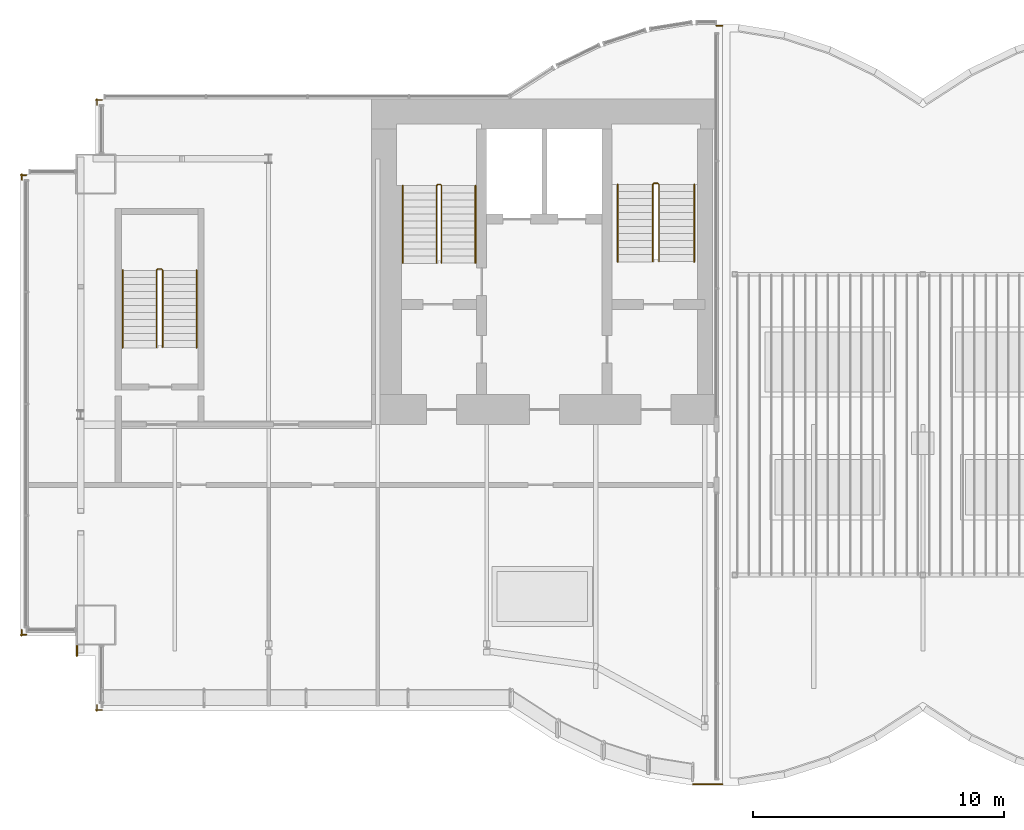
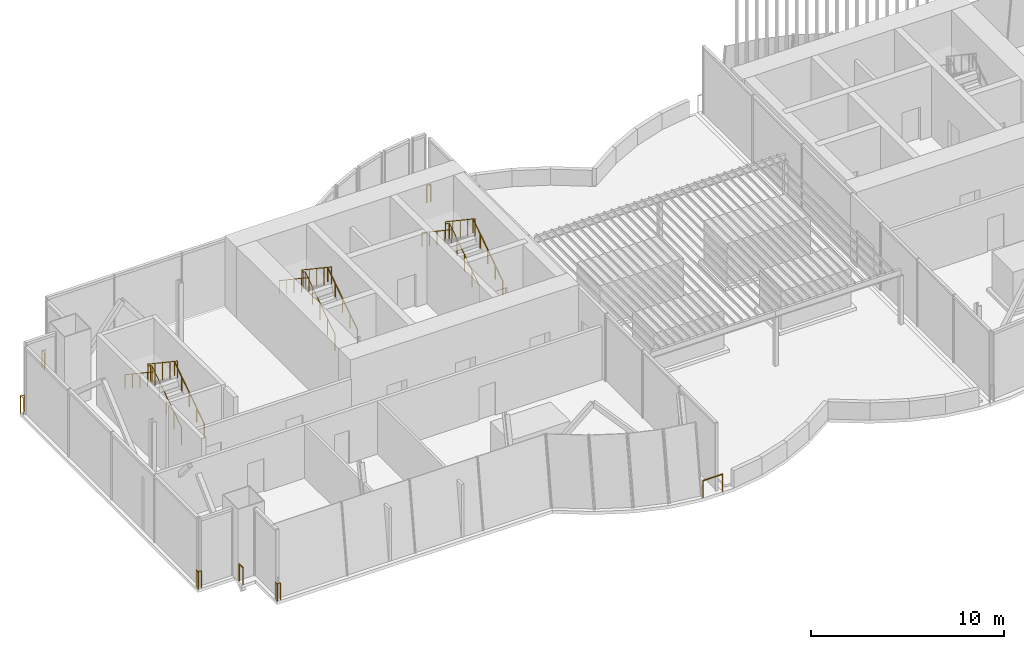
# One storey, part 15 of 18: 16 railings.
"""IFC4 building model written with IfcOpenShell, lengths in metres."""

from ifc_helpers import new_model, si_unit, direction, frame, origin, origin_2d, place, context, subcontext, project, spatial, circle, extrude, material, type_object, element, save


model = new_model("IFC4")

# Units and contexts
model_context = context("Model", 3, precision=1e-05, world=origin(), true_north=direction((0.0, 1.0)))
body_context = subcontext(model_context, "Body", "Model", "MODEL_VIEW")
ifc_project = project(units=[si_unit("LENGTHUNIT", "METRE"), si_unit("AREAUNIT", "SQUARE_METRE"), si_unit("VOLUMEUNIT", "CUBIC_METRE"), si_unit("PLANEANGLEUNIT", "RADIAN"), si_unit("MASSUNIT", "GRAM", prefix="KILO")], contexts=[model_context])

# Site, building, storey
site_placement = place(None, origin())
site = spatial("IfcSite", under=ifc_project, at=site_placement, CompositionType="ELEMENT")
building_placement = place(site_placement, origin())
building = spatial("IfcBuilding", under=site, at=building_placement, Name="Bicima Exchange Tower", CompositionType="ELEMENT")
storey_placement = place(building_placement, frame((0.0, 0.0, 347.89990234375)))
storey = spatial("IfcBuildingStorey", under=building, at=storey_placement, Name="L78", CompositionType="ELEMENT", Elevation=347.89990234375)

# Railings
ifc_material_1 = material(Name="Stainless steel and bonded safety glass", Category="steel")
railing_type_1 = type_object("IfcRailingType", Name="Edge guard 1100", PredefinedType="GUARDRAIL", material=ifc_material_1)
railing_1_placement = place(storey_placement, frame((-35.756103515625, -21.382080078125, 0.0)))
element("IfcRailing", 1, at=railing_1_placement, inside=storey, type_object=railing_type_1, Name="Edge guard L78 403", PredefinedType="GUARDRAIL", context=body_context, shape_type="SweptSolid", body=[
    extrude(circle(Radius=0.02392578125, at=origin_2d()), frame((0.0, 0.0, 1.076171875), z_axis=(-1.0, 0.0, 0.0), x_axis=(0.0, -1.0, 0.0)), (0.0, 0.0, 1.0), 0.243896484375),
    extrude(circle(Radius=0.02392578125, at=origin_2d()), frame((-0.243896484375, 0.0, 1.076171875), z_axis=(0.708833529934, -0.705375805398, 0.0), x_axis=(0.705375805398, 0.708833529934, 0.0)), (0.0, 0.0, 1.0), 0.070556640625),
    extrude(circle(Radius=0.02392578125, at=origin_2d()), frame((-0.19384765625, -0.0498046875, 1.076171875), z_axis=(0.0, 1.0, 0.0), x_axis=(-1.0, 0.0, 0.0)), (0.0, 0.0, 1.0), 0.248779296875),
    extrude(circle(Radius=0.02099609375, at=origin_2d()), origin(), (0.0, 0.0, 1.0), 1.052001953125),
    extrude(circle(Radius=0.02099609375, at=origin_2d()), frame((-0.243896484375, 0.0, 0.0)), (0.0, 0.0, 1.0), 1.052001953125),
    extrude(circle(Radius=0.02099609375, at=origin_2d()), frame((-0.19384765625, -0.0498046875, 0.0)), (0.0, 0.0, 1.0), 1.052001953125),
    extrude(circle(Radius=0.02099609375, at=origin_2d()), frame((-0.19384765625, 0.198974609375, 0.0)), (0.0, 0.0, 1.0), 1.052001953125),
])
railing_2_placement = place(storey_placement, frame((-35.949951171875, -3.2490234375, 0.0)))
element("IfcRailing", 2, at=railing_2_placement, inside=storey, type_object=railing_type_1, Name="Edge guard L78 404", PredefinedType="GUARDRAIL", context=body_context, shape_type="SweptSolid", body=[
    extrude(circle(Radius=0.02392578125, at=origin_2d()), frame((0.0, 0.0, 1.076171875), z_axis=(0.0, 1.0, 0.0), x_axis=(-1.0, 0.0, 0.0)), (0.0, 0.0, 1.0), 0.2490234375),
    extrude(circle(Radius=0.02392578125, at=origin_2d()), frame((0.0, 0.2490234375, 1.076171875), z_axis=(-0.707106781187, -0.707106781187, 0.0), x_axis=(0.707106781187, -0.707106781187, 0.0)), (0.0, 0.0, 1.0), 0.07080078125),
    extrude(circle(Radius=0.02392578125, at=origin_2d()), frame((-0.050048828125, 0.198974609375, 1.076171875), z_axis=(1.0, 0.0, 0.0), x_axis=(0.0, 1.0, 0.0)), (0.0, 0.0, 1.0), 0.243896484375),
    extrude(circle(Radius=0.02099609375, at=origin_2d()), origin(), (0.0, 0.0, 1.0), 1.052001953125),
    extrude(circle(Radius=0.02099609375, at=origin_2d()), frame((0.0, 0.2490234375, 0.0)), (0.0, 0.0, 1.0), 1.052001953125),
    extrude(circle(Radius=0.02099609375, at=origin_2d()), frame((-0.050048828125, 0.198974609375, 0.0)), (0.0, 0.0, 1.0), 1.052001953125),
    extrude(circle(Radius=0.02099609375, at=origin_2d()), frame((0.19384765625, 0.198974609375, 0.0)), (0.0, 0.0, 1.0), 1.052001953125),
])
railing_3_placement = place(storey_placement, frame((-32.949951171875, -0.243896484375, 0.0)))
element("IfcRailing", 3, at=railing_3_placement, inside=storey, type_object=railing_type_1, Name="Edge guard L78 405", PredefinedType="GUARDRAIL", context=body_context, shape_type="SweptSolid", body=[
    extrude(circle(Radius=0.02392578125, at=origin_2d()), frame((0.0, 0.0, 1.076171875), z_axis=(0.0, 1.0, 0.0), x_axis=(-1.0, 0.0, 0.0)), (0.0, 0.0, 1.0), 0.243896484375),
    extrude(circle(Radius=0.02392578125, at=origin_2d()), frame((0.0, 0.243896484375, 1.076171875), z_axis=(-0.707106781187, -0.707106781187, 0.0), x_axis=(0.707106781187, -0.707106781187, 0.0)), (0.0, 0.0, 1.0), 0.07080078125),
    extrude(circle(Radius=0.02392578125, at=origin_2d()), frame((-0.050048828125, 0.19384765625, 1.076171875), z_axis=(1.0, 0.0, 0.0), x_axis=(0.0, 1.0, 0.0)), (0.0, 0.0, 1.0), 0.25),
    extrude(circle(Radius=0.02099609375, at=origin_2d()), origin(), (0.0, 0.0, 1.0), 1.052001953125),
    extrude(circle(Radius=0.02099609375, at=origin_2d()), frame((0.0, 0.243896484375, 0.0)), (0.0, 0.0, 1.0), 1.052001953125),
    extrude(circle(Radius=0.02099609375, at=origin_2d()), frame((-0.050048828125, 0.19384765625, 0.0)), (0.0, 0.0, 1.0), 1.052001953125),
    extrude(circle(Radius=0.02099609375, at=origin_2d()), frame((0.199951171875, 0.19384765625, 0.0)), (0.0, 0.0, 1.0), 1.052001953125),
])
railing_4_placement = place(storey_placement, frame((-8.23291015625, 2.9130859375, 0.0)))
element("IfcRailing", 4, at=railing_4_placement, inside=storey, type_object=railing_type_1, Name="Edge guard L78 406", PredefinedType="GUARDRAIL", context=body_context, shape_type="SweptSolid", body=[
    extrude(circle(Radius=0.02392578125, at=origin_2d()), frame((0.0, 0.0, 1.076171875), z_axis=(1.0, 0.0, 0.0), x_axis=(0.0, 1.0, 0.0)), (0.0, 0.0, 1.0), 0.23291015625),
    extrude(circle(Radius=0.02099609375, at=origin_2d()), origin(), (0.0, 0.0, 1.0), 1.052001953125),
    extrude(circle(Radius=0.02099609375, at=origin_2d()), frame((0.23291015625, 0.0, 0.0)), (0.0, 0.0, 1.0), 1.052001953125),
])
railing_5_placement = place(storey_placement, frame((-8.0, -27.344970703125, 0.0)))
element("IfcRailing", 5, at=railing_5_placement, inside=storey, type_object=railing_type_1, Name="Edge guard L78 407", PredefinedType="GUARDRAIL", context=body_context, shape_type="SweptSolid", body=[
    extrude(circle(Radius=0.02392578125, at=origin_2d()), frame((0.0, 0.0, 1.076171875), z_axis=(-1.0, 0.0, 0.0), x_axis=(0.0, -1.0, 0.0)), (0.0, 0.0, 1.0), 1.1669921875),
    extrude(circle(Radius=0.02099609375, at=origin_2d()), origin(), (0.0, 0.0, 1.0), 1.052001953125),
    extrude(circle(Radius=0.02099609375, at=origin_2d()), frame((-1.1669921875, 0.0, 0.0)), (0.0, 0.0, 1.0), 1.052001953125),
])
railing_6_placement = place(storey_placement, frame((-32.75, -24.382080078125, 0.0)))
element("IfcRailing", 6, at=railing_6_placement, inside=storey, type_object=railing_type_1, Name="Edge guard L78 408", PredefinedType="GUARDRAIL", context=body_context, shape_type="SweptSolid", body=[
    extrude(circle(Radius=0.02392578125, at=origin_2d()), frame((0.0, 0.0, 1.076171875), z_axis=(-1.0, 0.0, 0.0), x_axis=(0.0, -1.0, 0.0)), (0.0, 0.0, 1.0), 0.25),
    extrude(circle(Radius=0.02392578125, at=origin_2d()), frame((-0.25, 0.0, 1.076171875), z_axis=(0.708833529934, -0.705375805398, 0.0), x_axis=(0.705375805398, 0.708833529934, 0.0)), (0.0, 0.0, 1.0), 0.070556640625),
    extrude(circle(Radius=0.02392578125, at=origin_2d()), frame((-0.199951171875, -0.0498046875, 1.076171875), z_axis=(0.0, 1.0, 0.0), x_axis=(-1.0, 0.0, 0.0)), (0.0, 0.0, 1.0), 0.243896484375),
    extrude(circle(Radius=0.02099609375, at=origin_2d()), origin(), (0.0, 0.0, 1.0), 1.052001953125),
    extrude(circle(Radius=0.02099609375, at=origin_2d()), frame((-0.25, 0.0, 0.0)), (0.0, 0.0, 1.0), 1.052001953125),
    extrude(circle(Radius=0.02099609375, at=origin_2d()), frame((-0.199951171875, -0.0498046875, 0.0)), (0.0, 0.0, 1.0), 1.052001953125),
    extrude(circle(Radius=0.02099609375, at=origin_2d()), frame((-0.199951171875, 0.194091796875, 0.0)), (0.0, 0.0, 1.0), 1.052001953125),
])
railing_7_placement = place(storey_placement, frame((-33.75, -22.23193359375, 0.0)))
element("IfcRailing", 7, at=railing_7_placement, inside=storey, type_object=railing_type_1, Name="Edge guard L78 409", PredefinedType="GUARDRAIL", context=body_context, shape_type="SweptSolid", body=[
    extrude(circle(Radius=0.02392578125, at=origin_2d()), frame((0.0, 0.0, 1.076171875), z_axis=(0.0, 1.0, 0.0), x_axis=(-1.0, 0.0, 0.0)), (0.0, 0.0, 1.0), 0.39990234375),
    extrude(circle(Radius=0.02099609375, at=origin_2d()), origin(), (0.0, 0.0, 1.0), 1.052001953125),
    extrude(circle(Radius=0.02099609375, at=origin_2d()), frame((0.0, 0.39990234375, 0.0)), (0.0, 0.0, 1.0), 1.052001953125),
])
ifc_material_2 = material(Name="Stainless steel", Category="steel")
railing_type_2 = type_object("IfcRailingType", Name="Stair guard 1100", PredefinedType="GUARDRAIL", material=ifc_material_2)
railing_8_placement = place(storey_placement, frame((-19.199951171875, -6.550048828125, 0.1875)))
element("IfcRailing", 8, at=railing_8_placement, inside=storey, type_object=railing_type_2, Name="L78 ST-W stair guard 1", PredefinedType="GUARDRAIL", context=body_context, shape_type="SweptSolid", body=[
    extrude(circle(Radius=0.02392578125, at=origin_2d()), frame((0.0, 0.0, 1.076171875), z_axis=(0.0, 0.830913701846, 0.55640131208), x_axis=(-1.0, 0.0, 0.0)), (0.0, 0.0, 1.0), 3.706787109375),
    extrude(circle(Radius=0.02392578125, at=origin_2d()), frame((0.0, 3.080078125, 3.138671875), z_axis=(-0.707106781187, 0.707106781187, 0.0), x_axis=(-0.707106781187, -0.707106781187, 0.0)), (0.0, 0.0, 1.0), 0.07080078125),
    extrude(circle(Radius=0.02392578125, at=origin_2d()), frame((-0.050048828125, 3.130126953125, 3.138671875), z_axis=(-1.0, 0.0, 0.0), x_axis=(0.0, -1.0, 0.0)), (0.0, 0.0, 1.0), 0.10009765625),
    extrude(circle(Radius=0.02392578125, at=origin_2d()), frame((-0.150146484375, 3.130126953125, 3.138671875), z_axis=(-0.248583702486, -0.249802250048, 0.935844527007), x_axis=(0.708833529934, -0.705375805398, 0.0)), (0.0, 0.0, 1.0), 0.200439453125),
    extrude(circle(Radius=0.02392578125, at=origin_2d()), frame((-0.199951171875, 3.080078125, 3.326171875), z_axis=(0.0, -0.830913701846, 0.55640131208), x_axis=(1.0, 0.0, 0.0)), (0.0, 0.0, 1.0), 3.706787109375),
    extrude(circle(Radius=0.02099609375, at=origin_2d()), origin(), (0.0, 0.0, 1.0), 1.052001953125),
    extrude(circle(Radius=0.02099609375, at=origin_2d()), frame((0.0, 0.77001953125, 0.515625)), (0.0, 0.0, 1.0), 1.052001953125),
    extrude(circle(Radius=0.02099609375, at=origin_2d()), frame((0.0, 1.5400390625, 1.03125)), (0.0, 0.0, 1.0), 1.052001953125),
    extrude(circle(Radius=0.02099609375, at=origin_2d()), frame((0.0, 2.31005859375, 1.546875)), (0.0, 0.0, 1.0), 1.052001953125),
    extrude(circle(Radius=0.02099609375, at=origin_2d()), frame((0.0, 3.080078125, 2.0625)), (0.0, 0.0, 1.0), 1.052001953125),
    extrude(circle(Radius=0.02099609375, at=origin_2d()), frame((-0.050048828125, 3.130126953125, 2.0625)), (0.0, 0.0, 1.0), 1.052001953125),
    extrude(circle(Radius=0.02099609375, at=origin_2d()), frame((-0.150146484375, 3.130126953125, 2.0625)), (0.0, 0.0, 1.0), 1.052001953125),
    extrude(circle(Radius=0.02099609375, at=origin_2d()), frame((-0.199951171875, 3.080078125, 2.25)), (0.0, 0.0, 1.0), 1.052001953125),
    extrude(circle(Radius=0.02099609375, at=origin_2d()), frame((-0.199951171875, 2.31005859375, 2.765625)), (0.0, 0.0, 1.0), 1.052001953125),
    extrude(circle(Radius=0.02099609375, at=origin_2d()), frame((-0.199951171875, 1.5400390625, 3.28125)), (0.0, 0.0, 1.0), 1.052001953125),
    extrude(circle(Radius=0.02099609375, at=origin_2d()), frame((-0.199951171875, 0.77001953125, 3.796875)), (0.0, 0.0, 1.0), 1.052001953125),
    extrude(circle(Radius=0.02099609375, at=origin_2d()), frame((-0.199951171875, 0.0, 4.3125)), (0.0, 0.0, 1.0), 1.052001953125),
])
railing_9_placement = place(storey_placement, frame((-10.52490234375, -6.5, 0.1875)))
element("IfcRailing", 9, at=railing_9_placement, inside=storey, type_object=railing_type_2, Name="L78 ST-CR stair guard 1", PredefinedType="GUARDRAIL", context=body_context, shape_type="SweptSolid", body=[
    extrude(circle(Radius=0.02392578125, at=origin_2d()), frame((0.0, 0.0, 1.076171875), z_axis=(0.0, 0.830913701846, 0.55640131208), x_axis=(-1.0, 0.0, 0.0)), (0.0, 0.0, 1.0), 3.706787109375),
    extrude(circle(Radius=0.02392578125, at=origin_2d()), frame((0.0, 3.080078125, 3.138671875), z_axis=(-0.708833529934, 0.705375805398, 0.0), x_axis=(-0.705375805398, -0.708833529934, 0.0)), (0.0, 0.0, 1.0), 0.070556640625),
    extrude(circle(Radius=0.02392578125, at=origin_2d()), frame((-0.050048828125, 3.1298828125, 3.138671875), z_axis=(-1.0, 0.0, 0.0), x_axis=(0.0, -1.0, 0.0)), (0.0, 0.0, 1.0), 0.150146484375),
    extrude(circle(Radius=0.02392578125, at=origin_2d()), frame((-0.2001953125, 3.1298828125, 3.138671875), z_axis=(-0.248659220195, -0.248659220195, 0.936128828968), x_axis=(0.707106781187, -0.707106781187, 0.0)), (0.0, 0.0, 1.0), 0.2001953125),
    extrude(circle(Radius=0.02392578125, at=origin_2d()), frame((-0.25, 3.080078125, 3.326171875), z_axis=(0.0, -0.830913701846, 0.55640131208), x_axis=(1.0, 0.0, 0.0)), (0.0, 0.0, 1.0), 3.706787109375),
    extrude(circle(Radius=0.02099609375, at=origin_2d()), origin(), (0.0, 0.0, 1.0), 1.052001953125),
    extrude(circle(Radius=0.02099609375, at=origin_2d()), frame((0.0, 0.77001953125, 0.515625)), (0.0, 0.0, 1.0), 1.052001953125),
    extrude(circle(Radius=0.02099609375, at=origin_2d()), frame((0.0, 1.5400390625, 1.03125)), (0.0, 0.0, 1.0), 1.052001953125),
    extrude(circle(Radius=0.02099609375, at=origin_2d()), frame((0.0, 2.31005859375, 1.546875)), (0.0, 0.0, 1.0), 1.052001953125),
    extrude(circle(Radius=0.02099609375, at=origin_2d()), frame((0.0, 3.080078125, 2.0625)), (0.0, 0.0, 1.0), 1.052001953125),
    extrude(circle(Radius=0.02099609375, at=origin_2d()), frame((-0.050048828125, 3.1298828125, 2.0625)), (0.0, 0.0, 1.0), 1.052001953125),
    extrude(circle(Radius=0.02099609375, at=origin_2d()), frame((-0.2001953125, 3.1298828125, 2.0625)), (0.0, 0.0, 1.0), 1.052001953125),
    extrude(circle(Radius=0.02099609375, at=origin_2d()), frame((-0.25, 3.080078125, 2.25)), (0.0, 0.0, 1.0), 1.052001953125),
    extrude(circle(Radius=0.02099609375, at=origin_2d()), frame((-0.25, 2.31005859375, 2.765625)), (0.0, 0.0, 1.0), 1.052001953125),
    extrude(circle(Radius=0.02099609375, at=origin_2d()), frame((-0.25, 1.5400390625, 3.28125)), (0.0, 0.0, 1.0), 1.052001953125),
    extrude(circle(Radius=0.02099609375, at=origin_2d()), frame((-0.25, 0.77001953125, 3.796875)), (0.0, 0.0, 1.0), 1.052001953125),
    extrude(circle(Radius=0.02099609375, at=origin_2d()), frame((-0.25, 0.0, 4.3125)), (0.0, 0.0, 1.0), 1.052001953125),
])
railing_10_placement = place(storey_placement, frame((-30.324951171875, -9.925048828125, 0.1875)))
element("IfcRailing", 10, at=railing_10_placement, inside=storey, type_object=railing_type_2, Name="L78 ST-WW stair guard 1", PredefinedType="GUARDRAIL", context=body_context, shape_type="SweptSolid", body=[
    extrude(circle(Radius=0.02392578125, at=origin_2d()), frame((0.0, 0.0, 1.076171875), z_axis=(0.0, 0.830913701846, 0.55640131208), x_axis=(-1.0, 0.0, 0.0)), (0.0, 0.0, 1.0), 3.706787109375),
    extrude(circle(Radius=0.02392578125, at=origin_2d()), frame((0.0, 3.080078125, 3.138671875), z_axis=(-0.707106781187, 0.707106781187, 0.0), x_axis=(-0.707106781187, -0.707106781187, 0.0)), (0.0, 0.0, 1.0), 0.07080078125),
    extrude(circle(Radius=0.02392578125, at=origin_2d()), frame((-0.050048828125, 3.130126953125, 3.138671875), z_axis=(-1.0, 0.0, 0.0), x_axis=(0.0, -1.0, 0.0)), (0.0, 0.0, 1.0), 0.14990234375),
    extrude(circle(Radius=0.02392578125, at=origin_2d()), frame((-0.199951171875, 3.130126953125, 3.138671875), z_axis=(-0.249726431254, -0.249726431254, 0.935560483917), x_axis=(0.707106781187, -0.707106781187, 0.0)), (0.0, 0.0, 1.0), 0.200439453125),
    extrude(circle(Radius=0.02392578125, at=origin_2d()), frame((-0.25, 3.080078125, 3.326171875), z_axis=(0.0, -0.830913701846, 0.55640131208), x_axis=(1.0, 0.0, 0.0)), (0.0, 0.0, 1.0), 3.706787109375),
    extrude(circle(Radius=0.02099609375, at=origin_2d()), origin(), (0.0, 0.0, 1.0), 1.052001953125),
    extrude(circle(Radius=0.02099609375, at=origin_2d()), frame((0.0, 0.77001953125, 0.515625)), (0.0, 0.0, 1.0), 1.052001953125),
    extrude(circle(Radius=0.02099609375, at=origin_2d()), frame((0.0, 1.5400390625, 1.03125)), (0.0, 0.0, 1.0), 1.052001953125),
    extrude(circle(Radius=0.02099609375, at=origin_2d()), frame((0.0, 2.31005859375, 1.546875)), (0.0, 0.0, 1.0), 1.052001953125),
    extrude(circle(Radius=0.02099609375, at=origin_2d()), frame((0.0, 3.080078125, 2.0625)), (0.0, 0.0, 1.0), 1.052001953125),
    extrude(circle(Radius=0.02099609375, at=origin_2d()), frame((-0.050048828125, 3.130126953125, 2.0625)), (0.0, 0.0, 1.0), 1.052001953125),
    extrude(circle(Radius=0.02099609375, at=origin_2d()), frame((-0.199951171875, 3.130126953125, 2.0625)), (0.0, 0.0, 1.0), 1.052001953125),
    extrude(circle(Radius=0.02099609375, at=origin_2d()), frame((-0.25, 3.080078125, 2.25)), (0.0, 0.0, 1.0), 1.052001953125),
    extrude(circle(Radius=0.02099609375, at=origin_2d()), frame((-0.25, 2.31005859375, 2.765625)), (0.0, 0.0, 1.0), 1.052001953125),
    extrude(circle(Radius=0.02099609375, at=origin_2d()), frame((-0.25, 1.5400390625, 3.28125)), (0.0, 0.0, 1.0), 1.052001953125),
    extrude(circle(Radius=0.02099609375, at=origin_2d()), frame((-0.25, 0.77001953125, 3.796875)), (0.0, 0.0, 1.0), 1.052001953125),
    extrude(circle(Radius=0.02099609375, at=origin_2d()), frame((-0.25, 0.0, 4.3125)), (0.0, 0.0, 1.0), 1.052001953125),
])
railing_type_3 = type_object("IfcRailingType", Name="Stair handrail 900", PredefinedType="HANDRAIL", material=ifc_material_2)
railing_11_placement = place(storey_placement, frame((-17.85009765625, -6.550048828125, 0.1875)))
element("IfcRailing", 11, at=railing_11_placement, inside=storey, type_object=railing_type_3, Name="L78 ST-W stair handrail 1", PredefinedType="HANDRAIL", context=body_context, shape_type="SweptSolid", body=[
    extrude(circle(Radius=0.02392578125, at=origin_2d()), frame((0.0, 0.0, 0.8759765625), z_axis=(0.0, 0.830913701846, 0.55640131208), x_axis=(-1.0, 0.0, 0.0)), (0.0, 0.0, 1.0), 3.706787109375),
    extrude(circle(Radius=0.02099609375, at=origin_2d()), origin(), (0.0, 0.0, 1.0), 0.851806640625),
    extrude(circle(Radius=0.02099609375, at=origin_2d()), frame((0.0, 0.77001953125, 0.515625)), (0.0, 0.0, 1.0), 0.851806640625),
    extrude(circle(Radius=0.02099609375, at=origin_2d()), frame((0.0, 1.5400390625, 1.03125)), (0.0, 0.0, 1.0), 0.851806640625),
    extrude(circle(Radius=0.02099609375, at=origin_2d()), frame((0.0, 2.31005859375, 1.546875)), (0.0, 0.0, 1.0), 0.851806640625),
    extrude(circle(Radius=0.02099609375, at=origin_2d()), frame((0.0, 3.080078125, 2.0625)), (0.0, 0.0, 1.0), 0.851806640625),
])
railing_12_placement = place(storey_placement, frame((-20.75, -3.469970703125, 2.4375)))
element("IfcRailing", 12, at=railing_12_placement, inside=storey, type_object=railing_type_3, Name="L78 ST-W stair handrail 2", PredefinedType="HANDRAIL", context=body_context, shape_type="SweptSolid", body=[
    extrude(circle(Radius=0.02392578125, at=origin_2d()), frame((0.0, 0.0, 0.8759765625), z_axis=(0.0, -0.830913701846, 0.55640131208), x_axis=(1.0, 0.0, 0.0)), (0.0, 0.0, 1.0), 3.706787109375),
    extrude(circle(Radius=0.02099609375, at=origin_2d()), origin(), (0.0, 0.0, 1.0), 0.851806640625),
    extrude(circle(Radius=0.02099609375, at=origin_2d()), frame((0.0, -0.77001953125, 0.515625)), (0.0, 0.0, 1.0), 0.851806640625),
    extrude(circle(Radius=0.02099609375, at=origin_2d()), frame((0.0, -1.5400390625, 1.03125)), (0.0, 0.0, 1.0), 0.851806640625),
    extrude(circle(Radius=0.02099609375, at=origin_2d()), frame((0.0, -2.31005859375, 1.546875)), (0.0, 0.0, 1.0), 0.851806640625),
    extrude(circle(Radius=0.02099609375, at=origin_2d()), frame((0.0, -3.080078125, 2.0625)), (0.0, 0.0, 1.0), 0.851806640625),
])
railing_13_placement = place(storey_placement, frame((-9.125, -6.5, 0.1875)))
element("IfcRailing", 13, at=railing_13_placement, inside=storey, type_object=railing_type_3, Name="L78 ST-CR stair handrail 1", PredefinedType="HANDRAIL", context=body_context, shape_type="SweptSolid", body=[
    extrude(circle(Radius=0.02392578125, at=origin_2d()), frame((0.0, 0.0, 0.8759765625), z_axis=(0.0, 0.830913701846, 0.55640131208), x_axis=(-1.0, 0.0, 0.0)), (0.0, 0.0, 1.0), 3.706787109375),
    extrude(circle(Radius=0.02099609375, at=origin_2d()), origin(), (0.0, 0.0, 1.0), 0.851806640625),
    extrude(circle(Radius=0.02099609375, at=origin_2d()), frame((0.0, 0.77001953125, 0.515625)), (0.0, 0.0, 1.0), 0.851806640625),
    extrude(circle(Radius=0.02099609375, at=origin_2d()), frame((0.0, 1.5400390625, 1.03125)), (0.0, 0.0, 1.0), 0.851806640625),
    extrude(circle(Radius=0.02099609375, at=origin_2d()), frame((0.0, 2.31005859375, 1.546875)), (0.0, 0.0, 1.0), 0.851806640625),
    extrude(circle(Radius=0.02099609375, at=origin_2d()), frame((0.0, 3.080078125, 2.0625)), (0.0, 0.0, 1.0), 0.851806640625),
])
railing_14_placement = place(storey_placement, frame((-12.175048828125, -3.419921875, 2.4375)))
element("IfcRailing", 14, at=railing_14_placement, inside=storey, type_object=railing_type_3, Name="L78 ST-CR stair handrail 2", PredefinedType="HANDRAIL", context=body_context, shape_type="SweptSolid", body=[
    extrude(circle(Radius=0.02392578125, at=origin_2d()), frame((0.0, 0.0, 0.8759765625), z_axis=(0.0, -0.830913701846, 0.55640131208), x_axis=(1.0, 0.0, 0.0)), (0.0, 0.0, 1.0), 3.706787109375),
    extrude(circle(Radius=0.02099609375, at=origin_2d()), origin(), (0.0, 0.0, 1.0), 0.851806640625),
    extrude(circle(Radius=0.02099609375, at=origin_2d()), frame((0.0, -0.77001953125, 0.515625)), (0.0, 0.0, 1.0), 0.851806640625),
    extrude(circle(Radius=0.02099609375, at=origin_2d()), frame((0.0, -1.5400390625, 1.03125)), (0.0, 0.0, 1.0), 0.851806640625),
    extrude(circle(Radius=0.02099609375, at=origin_2d()), frame((0.0, -2.31005859375, 1.546875)), (0.0, 0.0, 1.0), 0.851806640625),
    extrude(circle(Radius=0.02099609375, at=origin_2d()), frame((0.0, -3.080078125, 2.0625)), (0.0, 0.0, 1.0), 0.851806640625),
])
railing_15_placement = place(storey_placement, frame((-28.97509765625, -9.925048828125, 0.1875)))
element("IfcRailing", 15, at=railing_15_placement, inside=storey, type_object=railing_type_3, Name="L78 ST-WW stair handrail 1", PredefinedType="HANDRAIL", context=body_context, shape_type="SweptSolid", body=[
    extrude(circle(Radius=0.02392578125, at=origin_2d()), frame((0.0, 0.0, 0.8759765625), z_axis=(0.0, 0.830913701846, 0.55640131208), x_axis=(-1.0, 0.0, 0.0)), (0.0, 0.0, 1.0), 3.706787109375),
    extrude(circle(Radius=0.02099609375, at=origin_2d()), origin(), (0.0, 0.0, 1.0), 0.851806640625),
    extrude(circle(Radius=0.02099609375, at=origin_2d()), frame((0.0, 0.77001953125, 0.515625)), (0.0, 0.0, 1.0), 0.851806640625),
    extrude(circle(Radius=0.02099609375, at=origin_2d()), frame((0.0, 1.5400390625, 1.03125)), (0.0, 0.0, 1.0), 0.851806640625),
    extrude(circle(Radius=0.02099609375, at=origin_2d()), frame((0.0, 2.31005859375, 1.546875)), (0.0, 0.0, 1.0), 0.851806640625),
    extrude(circle(Radius=0.02099609375, at=origin_2d()), frame((0.0, 3.080078125, 2.0625)), (0.0, 0.0, 1.0), 0.851806640625),
])
railing_16_placement = place(storey_placement, frame((-31.925048828125, -6.844970703125, 2.4375)))
element("IfcRailing", 16, at=railing_16_placement, inside=storey, type_object=railing_type_3, Name="L78 ST-WW stair handrail 2", PredefinedType="HANDRAIL", context=body_context, shape_type="SweptSolid", body=[
    extrude(circle(Radius=0.02392578125, at=origin_2d()), frame((0.0, 0.0, 0.8759765625), z_axis=(0.0, -0.830913701846, 0.55640131208), x_axis=(1.0, 0.0, 0.0)), (0.0, 0.0, 1.0), 3.706787109375),
    extrude(circle(Radius=0.02099609375, at=origin_2d()), origin(), (0.0, 0.0, 1.0), 0.851806640625),
    extrude(circle(Radius=0.02099609375, at=origin_2d()), frame((0.0, -0.77001953125, 0.515625)), (0.0, 0.0, 1.0), 0.851806640625),
    extrude(circle(Radius=0.02099609375, at=origin_2d()), frame((0.0, -1.5400390625, 1.03125)), (0.0, 0.0, 1.0), 0.851806640625),
    extrude(circle(Radius=0.02099609375, at=origin_2d()), frame((0.0, -2.31005859375, 1.546875)), (0.0, 0.0, 1.0), 0.851806640625),
    extrude(circle(Radius=0.02099609375, at=origin_2d()), frame((0.0, -3.080078125, 2.0625)), (0.0, 0.0, 1.0), 0.851806640625),
])

save(model, "model.ifc")
